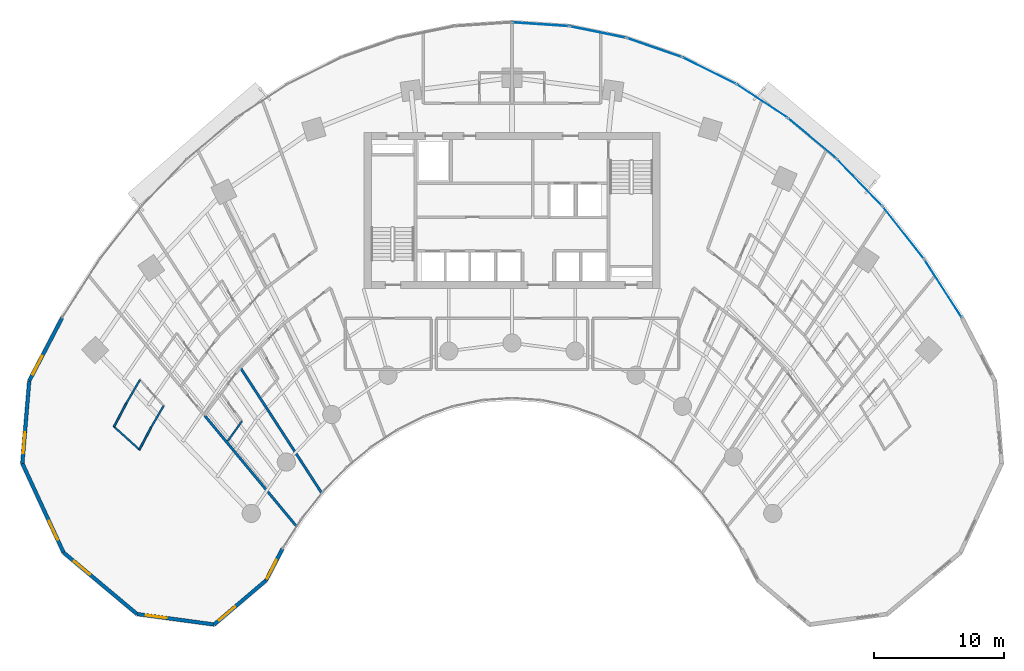
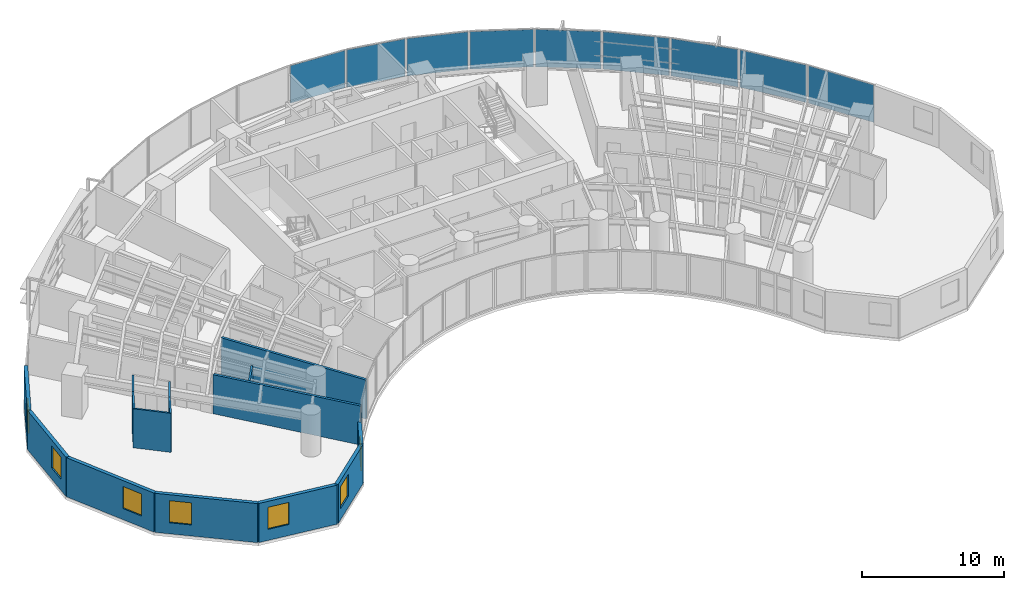
# One storey, part 10 of 18: 15 walls, 9 plates, 7 windows, 7 openings, 9 elements without a shape of their own.
"""IFC4 building model written with IfcOpenShell, lengths in metres."""

from ifc_helpers import new_model, si_unit, direction, frame, frame_2d, origin, origin_2d, place, context, subcontext, project, spatial, rectangle, extrude, source, transform, mapped, material, layer, layer_set, type_object, type_shapes, element, fill, aggregate, save


model = new_model("IFC4")

# Units and contexts
model_context = context("Model", 3, precision=1e-05, world=origin(), true_north=direction((0.0, 1.0)))
body_context = subcontext(model_context, "Body", "Model", "MODEL_VIEW")
ifc_project = project(units=[si_unit("LENGTHUNIT", "METRE"), si_unit("AREAUNIT", "SQUARE_METRE"), si_unit("VOLUMEUNIT", "CUBIC_METRE"), si_unit("PLANEANGLEUNIT", "RADIAN"), si_unit("MASSUNIT", "GRAM", prefix="KILO")], contexts=[model_context])

# Site, building, storey
site_placement = place(None, origin())
site = spatial("IfcSite", under=ifc_project, at=site_placement, CompositionType="ELEMENT")
building_placement = place(site_placement, origin())
building = spatial("IfcBuilding", under=site, at=building_placement, Name="Breltana Convention Tower", CompositionType="ELEMENT")
storey_placement = place(building_placement, frame((0.0, 0.0, 35.39990234375)))
storey = spatial("IfcBuildingStorey", under=building, at=storey_placement, Name="L06", CompositionType="ELEMENT", Elevation=35.39990234375)

# Curtain wall, plate
ifc_material_1 = material(Name="Aluminium Anodised Bronze Frame", Category="aluminium")
ifc_layer_1 = layer(ifc_material_1, 0.199951171875, Name="Aluminium Anodised Bronze Frame")
ifc_layer_set_1 = layer_set([ifc_layer_1], Name="Aluminium Anodised Bronze Frame")
curtain_wall_type = type_object("IfcCurtainWallType", Name="CW-SYS-2", PredefinedType="NOTDEFINED", material=ifc_layer_set_1)
curtain_wall_1_placement = place(storey_placement, origin())
curtain_wall_1 = element("IfcCurtainWall", 1, at=curtain_wall_1_placement, inside=storey, type_object=curtain_wall_type, Name="L06 outer double-skin inner glazing 17", PredefinedType="NOTDEFINED")
ifc_material_2 = material(Name="Glass Low-E Double Glazing", Category="glass")
ifc_layer_2 = layer(ifc_material_2, 0.031982421875, Name="Glass Low-E Double Glazing")
ifc_layer_set_2 = layer_set([ifc_layer_2], Name="Glass Low-E Double Glazing")
plate_type = type_object("IfcPlateType", Name="CWP-IGU-32", PredefinedType="CURTAIN_PANEL", material=ifc_layer_set_2)
shared_shape_1 = source(origin(), body_context, "Body", "SweptSolid", [
    extrude(rectangle(XDim=5.0546875, YDim=0.031982421875, at=origin_2d()), origin(), (0.0, 0.0, 1.0), 3.219970703125),
])
plate_1_placement = place(storey_placement, frame((78.038818359375, 64.504638671875, 0.0703125), z_axis=(0.0, 0.0, 1.0), x_axis=(0.618153917633, -0.786057080698, 0.0)))
plate_1 = element("IfcPlate", 2, at=plate_1_placement, type_object=plate_type, Name="CW-02 panel 1.1", PredefinedType="CURTAIN_PANEL", context=body_context, shape_type="MappedRepresentation", body=[
    mapped(shared_shape_1, transform((0.0, 0.0, 0.0), scale=1.0)),
])
aggregate(curtain_wall_1, [plate_1])

curtain_wall_2_placement = place(storey_placement, origin())
curtain_wall_2 = element("IfcCurtainWall", 3, at=curtain_wall_2_placement, inside=storey, type_object=curtain_wall_type, Name="L06 outer double-skin inner glazing 16", PredefinedType="NOTDEFINED")
shared_shape_2 = source(origin(), body_context, "Body", "SweptSolid", [
    extrude(rectangle(XDim=4.901123046875, YDim=0.031982421875, at=origin_2d()), origin(), (0.0, 0.0, 1.0), 3.219970703125),
])
plate_2_placement = place(storey_placement, frame((74.682373046875, 68.359619140625, 0.0703125), z_axis=(0.0, 0.0, 1.0), x_axis=(0.694610090106, -0.719386421003, 0.0)))
plate_2 = element("IfcPlate", 4, at=plate_2_placement, type_object=plate_type, Name="CW-02 panel 1.1", PredefinedType="CURTAIN_PANEL", context=body_context, shape_type="MappedRepresentation", body=[
    mapped(shared_shape_2, transform((0.0, 0.0, 0.0), scale=1.0)),
])
aggregate(curtain_wall_2, [plate_2])

curtain_wall_3_placement = place(storey_placement, origin())
curtain_wall_3 = element("IfcCurtainWall", 5, at=curtain_wall_3_placement, inside=storey, type_object=curtain_wall_type, Name="L06 outer double-skin inner glazing 15", PredefinedType="NOTDEFINED")
shared_shape_3 = source(origin(), body_context, "Body", "SweptSolid", [
    extrude(rectangle(XDim=4.7509765625, YDim=0.031982421875, at=origin_2d()), origin(), (0.0, 0.0, 1.0), 3.219970703125),
])
plate_3_placement = place(storey_placement, frame((71.0537109375, 71.7392578125, 0.0703125), z_axis=(0.0, 0.0, 1.0), x_axis=(0.767941326958, -0.640520193554, 0.0)))
plate_3 = element("IfcPlate", 6, at=plate_3_placement, type_object=plate_type, Name="CW-02 panel 1.1", PredefinedType="CURTAIN_PANEL", context=body_context, shape_type="MappedRepresentation", body=[
    mapped(shared_shape_3, transform((0.0, 0.0, 0.0), scale=1.0)),
])
aggregate(curtain_wall_3, [plate_3])

curtain_wall_4_placement = place(storey_placement, origin())
curtain_wall_4 = element("IfcCurtainWall", 7, at=curtain_wall_4_placement, inside=storey, type_object=curtain_wall_type, Name="L06 outer double-skin inner glazing 14", PredefinedType="NOTDEFINED")
shared_shape_4 = source(origin(), body_context, "Body", "SweptSolid", [
    extrude(rectangle(XDim=4.610595703125, YDim=0.031982421875, at=origin_2d()), origin(), (0.0, 0.0, 1.0), 3.219970703125),
])
plate_4_placement = place(storey_placement, frame((67.18994140625, 74.609130859375, 0.0703125), z_axis=(0.0, 0.0, 1.0), x_axis=(0.83596401875, -0.548784255746, 0.0)))
plate_4 = element("IfcPlate", 8, at=plate_4_placement, type_object=plate_type, Name="CW-02 panel 1.1", PredefinedType="CURTAIN_PANEL", context=body_context, shape_type="MappedRepresentation", body=[
    mapped(shared_shape_4, transform((0.0, 0.0, 0.0), scale=1.0)),
])
aggregate(curtain_wall_4, [plate_4])

curtain_wall_5_placement = place(storey_placement, origin())
curtain_wall_5 = element("IfcCurtainWall", 9, at=curtain_wall_5_placement, inside=storey, type_object=curtain_wall_type, Name="L06 outer double-skin inner glazing 13", PredefinedType="NOTDEFINED")
shared_shape_5 = source(origin(), body_context, "Body", "SweptSolid", [
    extrude(rectangle(XDim=4.487548828125, YDim=0.031982421875, at=origin_2d()), origin(), (0.0, 0.0, 1.0), 3.219970703125),
])
plate_5_placement = place(storey_placement, frame((63.13134765625, 76.940185546875, 0.0703125), z_axis=(0.0, 0.0, 1.0), x_axis=(0.895973407804, -0.444107703726, 0.0)))
plate_5 = element("IfcPlate", 10, at=plate_5_placement, type_object=plate_type, Name="CW-02 panel 1.1", PredefinedType="CURTAIN_PANEL", context=body_context, shape_type="MappedRepresentation", body=[
    mapped(shared_shape_5, transform((0.0, 0.0, 0.0), scale=1.0)),
])
aggregate(curtain_wall_5, [plate_5])

curtain_wall_6_placement = place(storey_placement, origin())
curtain_wall_6 = element("IfcCurtainWall", 11, at=curtain_wall_6_placement, inside=storey, type_object=curtain_wall_type, Name="L06 outer double-skin inner glazing 12", PredefinedType="NOTDEFINED")
shared_shape_6 = source(origin(), body_context, "Body", "SweptSolid", [
    extrude(rectangle(XDim=4.388427734375, YDim=0.031982421875, at=origin_2d()), origin(), (0.0, 0.0, 1.0), 3.219970703125),
])
plate_6_placement = place(storey_placement, frame((58.9189453125, 78.709228515625, 0.0703125), z_axis=(0.0, 0.0, 1.0), x_axis=(0.944876012163, -0.32742834581, 0.0)))
plate_6 = element("IfcPlate", 12, at=plate_6_placement, type_object=plate_type, Name="CW-02 panel 1.1", PredefinedType="CURTAIN_PANEL", context=body_context, shape_type="MappedRepresentation", body=[
    mapped(shared_shape_6, transform((0.0, 0.0, 0.0), scale=1.0)),
])
aggregate(curtain_wall_6, [plate_6])

curtain_wall_7_placement = place(storey_placement, origin())
curtain_wall_7 = element("IfcCurtainWall", 13, at=curtain_wall_7_placement, inside=storey, type_object=curtain_wall_type, Name="L06 outer double-skin inner glazing 11", PredefinedType="NOTDEFINED")
shared_shape_7 = source(origin(), body_context, "Body", "SweptSolid", [
    extrude(rectangle(XDim=4.318359375, YDim=0.031982421875, at=origin_2d()), origin(), (0.0, 0.0, 1.0), 3.219970703125),
])
plate_7_placement = place(storey_placement, frame((54.595703125, 79.898193359375, 0.0703125), z_axis=(0.0, 0.0, 1.0), x_axis=(0.979614925743, -0.200884537139, 0.0)))
plate_7 = element("IfcPlate", 14, at=plate_7_placement, type_object=plate_type, Name="CW-02 panel 1.1", PredefinedType="CURTAIN_PANEL", context=body_context, shape_type="MappedRepresentation", body=[
    mapped(shared_shape_7, transform((0.0, 0.0, 0.0), scale=1.0)),
])
aggregate(curtain_wall_7, [plate_7])

curtain_wall_8_placement = place(storey_placement, origin())
curtain_wall_8 = element("IfcCurtainWall", 15, at=curtain_wall_8_placement, inside=storey, type_object=curtain_wall_type, Name="L06 outer double-skin inner glazing 10", PredefinedType="NOTDEFINED")
shared_shape_8 = source(origin(), body_context, "Body", "SweptSolid", [
    extrude(rectangle(XDim=4.2822265625, YDim=0.031982421875, at=origin_2d()), origin(), (0.0, 0.0, 1.0), 3.219970703125),
])
plate_8_placement = place(storey_placement, frame((50.2060546875, 80.495849609375, 0.0703125), z_axis=(0.0, 0.0, 1.0), x_axis=(0.997703982282, -0.067725650529, 0.0)))
plate_8 = element("IfcPlate", 16, at=plate_8_placement, type_object=plate_type, Name="CW-02 panel 1.1", PredefinedType="CURTAIN_PANEL", context=body_context, shape_type="MappedRepresentation", body=[
    mapped(shared_shape_8, transform((0.0, 0.0, 0.0), scale=1.0)),
])
aggregate(curtain_wall_8, [plate_8])

curtain_wall_9_placement = place(storey_placement, origin())
curtain_wall_9 = element("IfcCurtainWall", 17, at=curtain_wall_9_placement, inside=storey, type_object=curtain_wall_type, Name="L06 outer double-skin inner glazing 18", PredefinedType="NOTDEFINED")
shared_shape_9 = source(origin(), body_context, "Body", "SweptSolid", [
    extrude(rectangle(XDim=5.20556640625, YDim=0.031982421875, at=origin_2d()), origin(), (0.0, 0.0, 1.0), 3.219970703125),
])
plate_9_placement = place(storey_placement, frame((81.088134765625, 60.2138671875, 0.0703125), z_axis=(0.0, 0.0, 1.0), x_axis=(0.540180724109, -0.841549039154, 0.0)))
plate_9 = element("IfcPlate", 18, at=plate_9_placement, type_object=plate_type, Name="CW-02 panel 1.1", PredefinedType="CURTAIN_PANEL", context=body_context, shape_type="MappedRepresentation", body=[
    mapped(shared_shape_9, transform((0.0, 0.0, 0.0), scale=1.0)),
])
aggregate(curtain_wall_9, [plate_9])

# Wall, opening, window
ifc_material_3 = material(Name="Limestone Buff Insulated Wall", Category="masonry")
ifc_layer_3 = layer(ifc_material_3, 0.280029296875, Name="Limestone Buff Insulated Wall")
ifc_layer_set_3 = layer_set([ifc_layer_3], Name="Limestone Buff Insulated Wall")
wall_type_1 = type_object("IfcWallType", Name="WL-EXT-NOSE-280", PredefinedType="SOLIDWALL", material=ifc_layer_set_3)
shared_shape_10 = source(origin(), body_context, "Body", "SweptSolid", [
    extrude(rectangle(XDim=6.3525390625, YDim=0.280029296875, at=frame_2d((3.17626953125, 0.0))), origin(), (0.0, 0.0, 1.0), 3.360107421875),
])
wall_1_placement = place(storey_placement, frame((10.417724609375, 46.79150390625, 0.0), z_axis=(0.0, 0.0, 1.0), x_axis=(0.083319001377, 0.996522926986, 0.0)))
wall_1 = element("IfcWall", 19, at=wall_1_placement, inside=storey, type_object=wall_type_1, Name="L06 curved limestone nose wall W6", PredefinedType="SOLIDWALL", context=body_context, shape_type="MappedRepresentation", body=[
    mapped(shared_shape_10, transform((0.0, 0.0, 0.0), scale=1.0)),
])
opening_1_placement = place(wall_1_placement, frame((0.7880859375, 0.0, 0.949951171875)))
opening_1 = element("IfcOpeningElement", 20, at=opening_1_placement, cuts=wall_1, Name="Opening W-04", PredefinedType="OPENING", context=body_context, shape_type="SweptSolid", body=[
    extrude(rectangle(XDim=1.60009765625, YDim=1.89990234375, at=frame_2d((0.800048828125, 0.949951171875))), frame((0.0, 0.14990234375, 0.0), z_axis=(0.0, -1.0, 0.0), x_axis=(1.0, 0.0, 0.0)), (0.0, 0.0, 1.0), 0.300048828125),
])
ifc_material_4 = material(Name="Glass Low-E Insulated Window", Category="glass")
window_type = type_object("IfcWindowType", Name="WN-NOSE-1600X1900", PartitioningType="SINGLE_PANEL", PredefinedType="WINDOW", material=ifc_material_4)
shared_shape_11 = source(origin(), body_context, "Body", "SweptSolid", [
    extrude(rectangle(XDim=1.60009765625, YDim=1.89990234375, at=frame_2d((0.800048828125, 0.949951171875))), frame((0.0, 0.030029296875, 0.0), z_axis=(0.0, -1.0, 0.0), x_axis=(1.0, 0.0, 0.0)), (0.0, 0.0, 1.0), 0.06005859375),
])
type_shapes(window_type, [shared_shape_11])
window_1_placement = place(opening_1_placement, origin())
window_1 = element("IfcWindow", 21, at=window_1_placement, inside=storey, type_object=window_type, Name="L06 nose window W6", OverallHeight=1.89990234375, OverallWidth=1.60009765625, PartitioningType="SINGLE_PANEL", PredefinedType="WINDOW", context=body_context, shape_type="MappedRepresentation", body=[
    mapped(shared_shape_11, transform((0.0, 0.0, 0.0), scale=1.0)),
])
fill(opening_1, window_1)

shared_shape_12 = source(origin(), body_context, "Body", "SweptSolid", [
    extrude(rectangle(XDim=7.536376953125, YDim=0.280029296875, at=frame_2d((3.76806640625, 0.0))), origin(), (0.0, 0.0, 1.0), 3.360107421875),
])
wall_2_placement = place(storey_placement, frame((13.580322265625, 39.950927734375, 0.0), z_axis=(0.0, 0.0, 1.0), x_axis=(-0.41964973873, 0.907686122393, 0.0)))
wall_2 = element("IfcWall", 22, at=wall_2_placement, inside=storey, type_object=wall_type_1, Name="L06 curved limestone nose wall W5", PredefinedType="SOLIDWALL", context=body_context, shape_type="MappedRepresentation", body=[
    mapped(shared_shape_12, transform((0.0, 0.0, 0.0), scale=1.0)),
])
opening_2_placement = place(wall_2_placement, frame((1.083984375, 0.0, 0.949951171875)))
opening_2 = element("IfcOpeningElement", 23, at=opening_2_placement, cuts=wall_2, Name="Opening W-04", PredefinedType="OPENING", context=body_context, shape_type="SweptSolid", body=[
    extrude(rectangle(XDim=1.60009765625, YDim=1.89990234375, at=frame_2d((0.800048828125, 0.949951171875))), frame((0.0, 0.14990234375, 0.0), z_axis=(0.0, -1.0, 0.0), x_axis=(1.0, 0.0, 0.0)), (0.0, 0.0, 1.0), 0.300048828125),
])
window_2_placement = place(opening_2_placement, origin())
window_2 = element("IfcWindow", 24, at=window_2_placement, inside=storey, type_object=window_type, Name="L06 nose window W5", OverallHeight=1.89990234375, OverallWidth=1.60009765625, PartitioningType="SINGLE_PANEL", PredefinedType="WINDOW", context=body_context, shape_type="MappedRepresentation", body=[
    mapped(shared_shape_11, transform((0.0, 0.0, 0.0), scale=1.0)),
])
fill(opening_2, window_2)

shared_shape_13 = source(origin(), body_context, "Body", "SweptSolid", [
    extrude(rectangle(XDim=7.35888671875, YDim=0.280029296875, at=frame_2d((3.679443359375, 0.0))), origin(), (0.0, 0.0, 1.0), 3.360107421875),
])
wall_3_placement = place(storey_placement, frame((19.22265625, 35.226806640625, 0.0), z_axis=(0.0, 0.0, 1.0), x_axis=(-0.766737165543, 0.641961150675, 0.0)))
wall_3 = element("IfcWall", 25, at=wall_3_placement, inside=storey, type_object=wall_type_1, Name="L06 curved limestone nose wall W4", PredefinedType="SOLIDWALL", context=body_context, shape_type="MappedRepresentation", body=[
    mapped(shared_shape_13, transform((0.0, 0.0, 0.0), scale=1.0)),
])
opening_3_placement = place(wall_3_placement, frame((4.71923828125, 0.0, 0.949951171875)))
opening_3 = element("IfcOpeningElement", 26, at=opening_3_placement, cuts=wall_3, Name="Opening W-04", PredefinedType="OPENING", context=body_context, shape_type="SweptSolid", body=[
    extrude(rectangle(XDim=1.60009765625, YDim=1.89990234375, at=frame_2d((0.800048828125, 0.949951171875))), frame((0.0, 0.14990234375, 0.0), z_axis=(0.0, -1.0, 0.0), x_axis=(1.0, 0.0, 0.0)), (0.0, 0.0, 1.0), 0.300048828125),
])
window_3_placement = place(opening_3_placement, origin())
window_3 = element("IfcWindow", 27, at=window_3_placement, inside=storey, type_object=window_type, Name="L06 nose window W4", OverallHeight=1.89990234375, OverallWidth=1.60009765625, PartitioningType="SINGLE_PANEL", PredefinedType="WINDOW", context=body_context, shape_type="MappedRepresentation", body=[
    mapped(shared_shape_11, transform((0.0, 0.0, 0.0), scale=1.0)),
])
fill(opening_3, window_3)

shared_shape_14 = source(origin(), body_context, "Body", "SweptSolid", [
    extrude(rectangle(XDim=5.96728515625, YDim=0.280029296875, at=frame_2d((2.983642578125, 0.0))), origin(), (0.0, 0.0, 1.0), 3.360107421875),
])
wall_4_placement = place(storey_placement, frame((25.1357421875, 34.4248046875, 0.0), z_axis=(0.0, 0.0, 1.0), x_axis=(-0.990927009341, 0.134401124099, 0.0)))
wall_4 = element("IfcWall", 28, at=wall_4_placement, inside=storey, type_object=wall_type_1, Name="L06 curved limestone nose wall W3", PredefinedType="SOLIDWALL", context=body_context, shape_type="MappedRepresentation", body=[
    mapped(shared_shape_14, transform((0.0, 0.0, 0.0), scale=1.0)),
])
opening_4_placement = place(wall_4_placement, frame((3.675537109375, 0.0, 0.949951171875)))
opening_4 = element("IfcOpeningElement", 29, at=opening_4_placement, cuts=wall_4, Name="Opening W-04", PredefinedType="OPENING", context=body_context, shape_type="SweptSolid", body=[
    extrude(rectangle(XDim=1.60009765625, YDim=1.89990234375, at=frame_2d((0.800048828125, 0.949951171875))), frame((0.0, 0.14990234375, 0.0), z_axis=(0.0, -1.0, 0.0), x_axis=(1.0, 0.0, 0.0)), (0.0, 0.0, 1.0), 0.300048828125),
])
window_4_placement = place(opening_4_placement, origin())
window_4 = element("IfcWindow", 30, at=window_4_placement, inside=storey, type_object=window_type, Name="L06 nose window W3", OverallHeight=1.89990234375, OverallWidth=1.60009765625, PartitioningType="SINGLE_PANEL", PredefinedType="WINDOW", context=body_context, shape_type="MappedRepresentation", body=[
    mapped(shared_shape_11, transform((0.0, 0.0, 0.0), scale=1.0)),
])
fill(opening_4, window_4)

shared_shape_15 = source(origin(), body_context, "Body", "SweptSolid", [
    extrude(rectangle(XDim=5.222412109375, YDim=0.280029296875, at=frame_2d((2.611328125, 0.0))), origin(), (0.0, 0.0, 1.0), 3.360107421875),
])
wall_5_placement = place(storey_placement, frame((29.11474609375, 37.807373046875, 0.0), z_axis=(0.0, 0.0, 1.0), x_axis=(-0.761900099546, -0.647694556339, 0.0)))
wall_5 = element("IfcWall", 31, at=wall_5_placement, inside=storey, type_object=wall_type_1, Name="L06 curved limestone nose wall W2", PredefinedType="SOLIDWALL", context=body_context, shape_type="MappedRepresentation", body=[
    mapped(shared_shape_15, transform((0.0, 0.0, 0.0), scale=1.0)),
])
opening_5_placement = place(wall_5_placement, frame((3.11669921875, 0.0, 0.949951171875)))
opening_5 = element("IfcOpeningElement", 32, at=opening_5_placement, cuts=wall_5, Name="Opening W-04", PredefinedType="OPENING", context=body_context, shape_type="SweptSolid", body=[
    extrude(rectangle(XDim=1.60009765625, YDim=1.89990234375, at=frame_2d((0.800048828125, 0.949951171875))), frame((0.0, 0.14990234375, 0.0), z_axis=(0.0, -1.0, 0.0), x_axis=(1.0, 0.0, 0.0)), (0.0, 0.0, 1.0), 0.300048828125),
])
window_5_placement = place(opening_5_placement, origin())
window_5 = element("IfcWindow", 33, at=window_5_placement, inside=storey, type_object=window_type, Name="L06 nose window W2", OverallHeight=1.89990234375, OverallWidth=1.60009765625, PartitioningType="SINGLE_PANEL", PredefinedType="WINDOW", context=body_context, shape_type="MappedRepresentation", body=[
    mapped(shared_shape_11, transform((0.0, 0.0, 0.0), scale=1.0)),
])
fill(opening_5, window_5)

shared_shape_16 = source(origin(), body_context, "Body", "SweptSolid", [
    extrude(rectangle(XDim=2.7353515625, YDim=0.280029296875, at=frame_2d((1.36767578125, 0.0))), origin(), (0.0, 0.0, 1.0), 3.360107421875),
])
wall_6_placement = place(storey_placement, frame((30.3779296875, 40.233642578125, 0.0), z_axis=(0.0, 0.0, 1.0), x_axis=(-0.46179107292, -0.886988728774, 0.0)))
wall_6 = element("IfcWall", 34, at=wall_6_placement, inside=storey, type_object=wall_type_1, Name="L06 curved limestone nose wall W1", PredefinedType="SOLIDWALL", context=body_context, shape_type="MappedRepresentation", body=[
    mapped(shared_shape_16, transform((0.0, 0.0, 0.0), scale=1.0)),
])
opening_6_placement = place(wall_6_placement, frame((0.9755859375, 0.0, 0.949951171875)))
opening_6 = element("IfcOpeningElement", 35, at=opening_6_placement, cuts=wall_6, Name="Opening W-04", PredefinedType="OPENING", context=body_context, shape_type="SweptSolid", body=[
    extrude(rectangle(XDim=1.60009765625, YDim=1.89990234375, at=frame_2d((0.800048828125, 0.949951171875))), frame((0.0, 0.14990234375, 0.0), z_axis=(0.0, -1.0, 0.0), x_axis=(1.0, 0.0, 0.0)), (0.0, 0.0, 1.0), 0.300048828125),
])
window_6_placement = place(opening_6_placement, origin())
window_6 = element("IfcWindow", 36, at=window_6_placement, inside=storey, type_object=window_type, Name="L06 nose window W1", OverallHeight=1.89990234375, OverallWidth=1.60009765625, PartitioningType="SINGLE_PANEL", PredefinedType="WINDOW", context=body_context, shape_type="MappedRepresentation", body=[
    mapped(shared_shape_11, transform((0.0, 0.0, 0.0), scale=1.0)),
])
fill(opening_6, window_6)

shared_shape_17 = source(origin(), body_context, "Body", "SweptSolid", [
    extrude(rectangle(XDim=5.45947265625, YDim=0.280029296875, at=frame_2d((2.729736328125, 0.0))), origin(), (0.0, 0.0, 1.0), 3.360107421875),
])
wall_7_placement = place(storey_placement, frame((10.947021484375, 53.1220703125, 0.0), z_axis=(0.0, 0.0, 1.0), x_axis=(0.461768054321, 0.887000712518, 0.0)))
wall_7 = element("IfcWall", 37, at=wall_7_placement, inside=storey, type_object=wall_type_1, Name="L06 curved limestone nose wall W7", PredefinedType="SOLIDWALL", context=body_context, shape_type="MappedRepresentation", body=[
    mapped(shared_shape_17, transform((0.0, 0.0, 0.0), scale=1.0)),
])
opening_7_placement = place(wall_7_placement, frame((0.56494140625, 0.0, 0.949951171875)))
opening_7 = element("IfcOpeningElement", 38, at=opening_7_placement, cuts=wall_7, Name="Opening W-04", PredefinedType="OPENING", context=body_context, shape_type="SweptSolid", body=[
    extrude(rectangle(XDim=1.60009765625, YDim=1.89990234375, at=frame_2d((0.800048828125, 0.949951171875))), frame((0.0, 0.14990234375, 0.0), z_axis=(0.0, -1.0, 0.0), x_axis=(1.0, 0.0, 0.0)), (0.0, 0.0, 1.0), 0.300048828125),
])
window_7_placement = place(opening_7_placement, origin())
window_7 = element("IfcWindow", 39, at=window_7_placement, inside=storey, type_object=window_type, Name="L06 nose window W7", OverallHeight=1.89990234375, OverallWidth=1.60009765625, PartitioningType="SINGLE_PANEL", PredefinedType="WINDOW", context=body_context, shape_type="MappedRepresentation", body=[
    mapped(shared_shape_11, transform((0.0, 0.0, 0.0), scale=1.0)),
])
fill(opening_7, window_7)

# Walls
ifc_material_5 = material(Name="Gypsum Acoustic Hotel Wall")
ifc_layer_4 = layer(ifc_material_5, 0.195068359375, Name="Gypsum Acoustic Hotel Wall")
ifc_layer_set_4 = layer_set([ifc_layer_4], Name="Gypsum Acoustic Hotel Wall")
wall_type_2 = type_object("IfcWallType", Name="WL-HOTEL-200", PredefinedType="PARTITIONING", material=ifc_layer_set_4)
shared_shape_18 = source(origin(), body_context, "Body", "SweptSolid", [
    extrude(rectangle(XDim=11.05322265625, YDim=0.195068359375, at=frame_2d((5.526611328125, 0.0))), origin(), (0.0, 0.0, 1.0), 3.360107421875),
])
wall_8_placement = place(storey_placement, frame((31.466064453125, 41.948974609375, 0.0), z_axis=(0.0, 0.0, 1.0), x_axis=(-0.638131235571, 0.769927611005, 0.0)))
element("IfcWall", 40, at=wall_8_placement, inside=storey, type_object=wall_type_2, Name="L06 interior partition W-L06-HK02-RA", PredefinedType="PARTITIONING", context=body_context, shape_type="MappedRepresentation", body=[
    mapped(shared_shape_18, transform((0.0, 0.0, 0.0), scale=1.0)),
])
shared_shape_19 = source(origin(), body_context, "Body", "SweptSolid", [
    extrude(rectangle(XDim=11.4287109375, YDim=0.195068359375, at=frame_2d((5.71435546875, 0.0))), origin(), (0.0, 0.0, 1.0), 3.360107421875),
])
wall_9_placement = place(storey_placement, frame((33.396484375, 44.510986328125, 0.0), z_axis=(0.0, 0.0, 1.0), x_axis=(-0.544215487077, 0.838945471187, 0.0)))
element("IfcWall", 41, at=wall_9_placement, inside=storey, type_object=wall_type_2, Name="L06 interior partition W-L06-HK02-RB", PredefinedType="PARTITIONING", context=body_context, shape_type="MappedRepresentation", body=[
    mapped(shared_shape_19, transform((0.0, 0.0, 0.0), scale=1.0)),
])
ifc_material_6 = material(Name="Moisture-Resistant En-Suite Partition")
ifc_layer_5 = layer(ifc_material_6, 0.139892578125, Name="Moisture-Resistant En-Suite Partition")
ifc_layer_set_5 = layer_set([ifc_layer_5], Name="Moisture-Resistant En-Suite Partition")
wall_type_3 = type_object("IfcWallType", Name="WL-WET-150", PredefinedType="PARTITIONING", material=ifc_layer_set_5)
shared_shape_20 = source(origin(), body_context, "Body", "SweptSolid", [
    extrude(rectangle(XDim=1.883544921875, YDim=0.139892578125, at=frame_2d((0.94189453125, 0.0))), origin(), (0.0, 0.0, 1.0), 3.360107421875),
])
wall_10_placement = place(storey_placement, frame((26.176513671875, 48.497802734375, 0.0), z_axis=(0.0, 0.0, 1.0), x_axis=(0.580833492897, 0.814022391295, 0.0)))
element("IfcWall", 42, at=wall_10_placement, inside=storey, type_object=wall_type_3, Name="L06 interior partition W-L06-HK02E-BK", PredefinedType="PARTITIONING", context=body_context, shape_type="MappedRepresentation", body=[
    mapped(shared_shape_20, transform((0.0, 0.0, 0.0), scale=1.0)),
])
shared_shape_21 = source(origin(), body_context, "Body", "SweptSolid", [
    extrude(rectangle(XDim=2.738037109375, YDim=0.139892578125, at=frame_2d((1.369140625, 0.0))), origin(), (0.0, 0.0, 1.0), 3.360107421875),
])
wall_11_placement = place(storey_placement, frame((19.439697265625, 47.81396484375, 0.0), z_axis=(0.0, 0.0, 1.0), x_axis=(-0.741873676582, 0.670539669218, 0.0)))
element("IfcWall", 43, at=wall_11_placement, inside=storey, type_object=wall_type_3, Name="L06 interior partition W-L06-CSENS-W-F", PredefinedType="PARTITIONING", context=body_context, shape_type="MappedRepresentation", body=[
    mapped(shared_shape_21, transform((0.0, 0.0, 0.0), scale=1.0)),
])
shared_shape_22 = source(origin(), body_context, "Body", "SweptSolid", [
    extrude(rectangle(XDim=1.936279296875, YDim=0.139892578125, at=frame_2d((0.96826171875, 0.0))), origin(), (0.0, 0.0, 1.0), 3.360107421875),
])
wall_12_placement = place(storey_placement, frame((19.398193359375, 47.8515625, 0.0), z_axis=(0.0, 0.0, 1.0), x_axis=(0.467174971862, 0.884164886017, 0.0)))
element("IfcWall", 44, at=wall_12_placement, inside=storey, type_object=wall_type_3, Name="L06 interior partition W-L06-CSENS-W-B1A", PredefinedType="PARTITIONING", context=body_context, shape_type="MappedRepresentation", body=[
    mapped(shared_shape_22, transform((0.0, 0.0, 0.0), scale=1.0)),
])
shared_shape_23 = source(origin(), body_context, "Body", "SweptSolid", [
    extrude(rectangle(XDim=2.068115234375, YDim=0.139892578125, at=frame_2d((1.0341796875, 0.0))), origin(), (0.0, 0.0, 1.0), 3.360107421875),
])
wall_13_placement = place(storey_placement, frame((17.449951171875, 49.6123046875, 0.0), z_axis=(0.0, 0.0, 1.0), x_axis=(0.467215057643, 0.884143704333, 0.0)))
element("IfcWall", 45, at=wall_13_placement, inside=storey, type_object=wall_type_3, Name="L06 interior partition W-L06-CSENS-W-B2A", PredefinedType="PARTITIONING", context=body_context, shape_type="MappedRepresentation", body=[
    mapped(shared_shape_23, transform((0.0, 0.0, 0.0), scale=1.0)),
])
shared_shape_24 = source(origin(), body_context, "Body", "SweptSolid", [
    extrude(rectangle(XDim=1.914306640625, YDim=0.139892578125, at=frame_2d((0.95703125, 0.0))), origin(), (0.0, 0.0, 1.0), 3.360107421875),
])
wall_14_placement = place(storey_placement, frame((20.302734375, 49.5634765625, 0.0), z_axis=(0.0, 0.0, 1.0), x_axis=(0.502347790612, 0.864665656347, 0.0)))
element("IfcWall", 46, at=wall_14_placement, inside=storey, type_object=wall_type_3, Name="L06 interior partition W-L06-CSENS-W-B1B", PredefinedType="PARTITIONING", context=body_context, shape_type="MappedRepresentation", body=[
    mapped(shared_shape_24, transform((0.0, 0.0, 0.0), scale=1.0)),
])
shared_shape_25 = source(origin(), body_context, "Body", "SweptSolid", [
    extrude(rectangle(XDim=2.044677734375, YDim=0.139892578125, at=frame_2d((1.0224609375, 0.0))), origin(), (0.0, 0.0, 1.0), 3.360107421875),
])
wall_15_placement = place(storey_placement, frame((18.416259765625, 51.44091796875, 0.0), z_axis=(0.0, 0.0, 1.0), x_axis=(0.5023112139, 0.864686905411, 0.0)))
element("IfcWall", 47, at=wall_15_placement, inside=storey, type_object=wall_type_3, Name="L06 interior partition W-L06-CSENS-W-B2B", PredefinedType="PARTITIONING", context=body_context, shape_type="MappedRepresentation", body=[
    mapped(shared_shape_25, transform((0.0, 0.0, 0.0), scale=1.0)),
])

save(model, "model.ifc")
